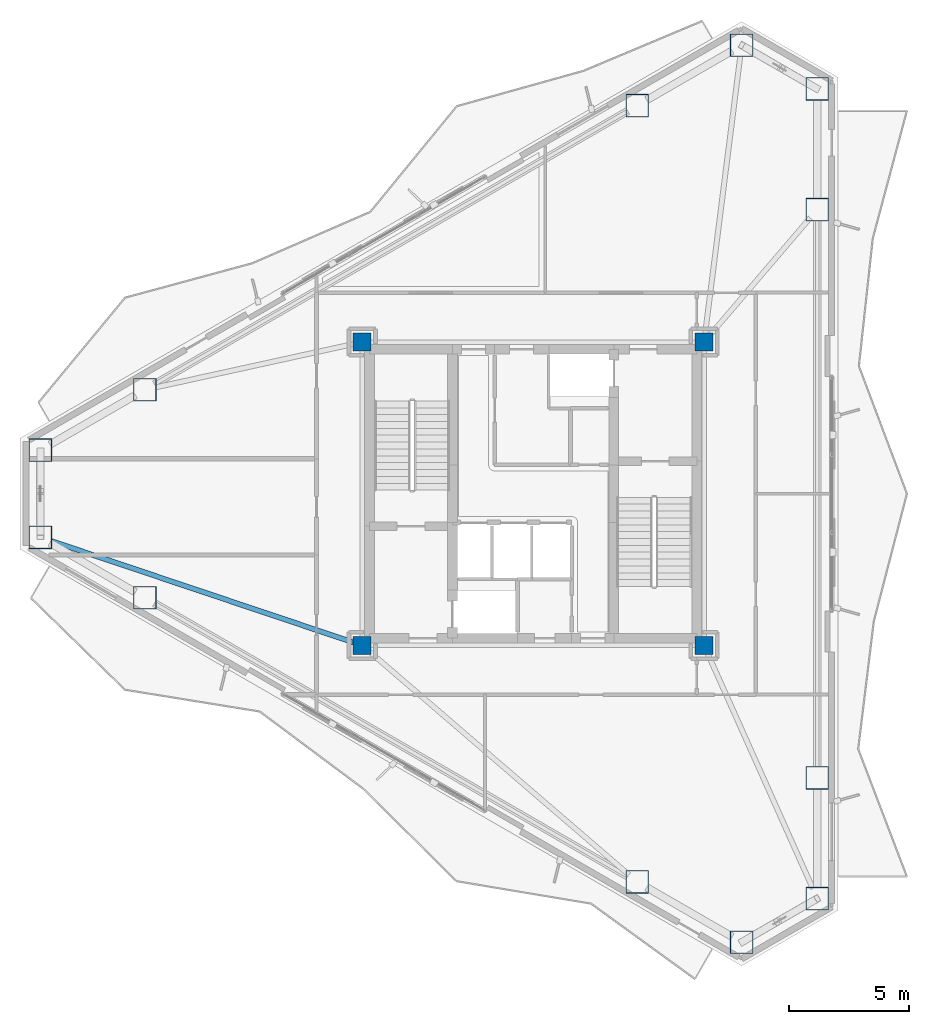
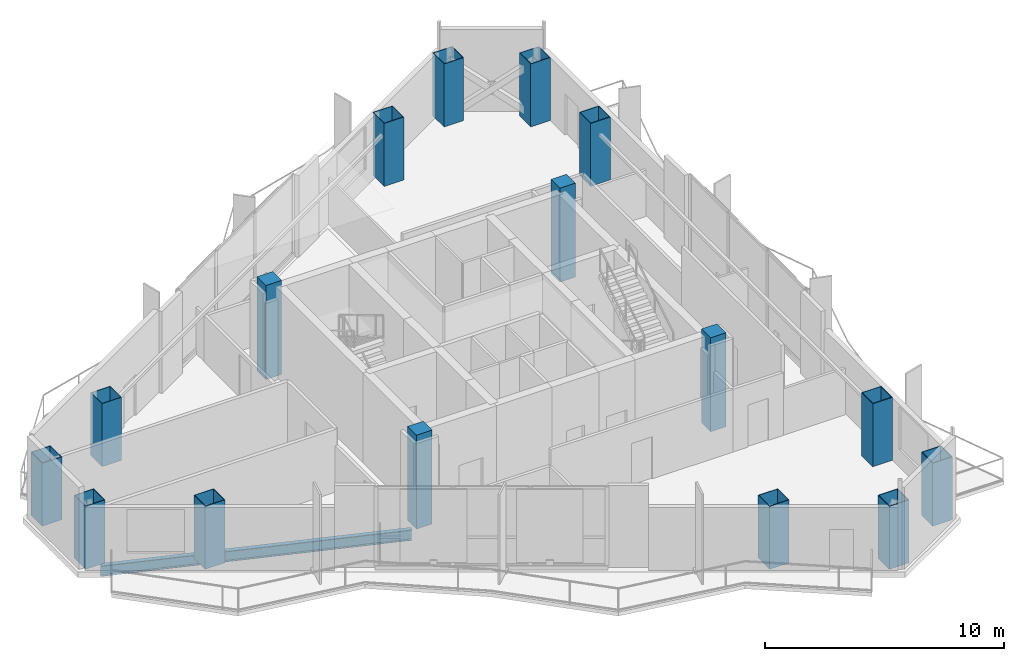
# One storey, part 1 of 18: 16 columns, 1 beam.
"""IFC4 building model written with IfcOpenShell, lengths in metres."""

from ifc_helpers import new_model, si_unit, direction, frame, origin, origin_2d, place, context, subcontext, project, spatial, rectangle, hollow_rectangle, i_section, extrude, material, material_profile, profile_set, type_object, element, save


model = new_model("IFC4")

# Units and contexts
model_context = context("Model", 3, precision=1e-05, world=origin(), true_north=direction((0.0, 1.0)))
body_context = subcontext(model_context, "Body", "Model", "MODEL_VIEW")
ifc_project = project(units=[si_unit("LENGTHUNIT", "METRE"), si_unit("AREAUNIT", "SQUARE_METRE"), si_unit("VOLUMEUNIT", "CUBIC_METRE"), si_unit("PLANEANGLEUNIT", "RADIAN"), si_unit("MASSUNIT", "GRAM", prefix="KILO")], contexts=[model_context])

# Site, building, storey
site_placement = place(None, origin())
site = spatial("IfcSite", under=ifc_project, at=site_placement, CompositionType="ELEMENT")
building_placement = place(site_placement, origin())
building = spatial("IfcBuilding", under=site, at=building_placement, Name="Mersakhor Tower and Convention Hall", CompositionType="ELEMENT")
storey_placement = place(building_placement, frame((0.0, 0.0, 170.699951171875)))
storey = spatial("IfcBuildingStorey", under=building, at=storey_placement, Name="L47", CompositionType="ELEMENT", Elevation=170.699951171875)

# Columns
ifc_material_1 = material(Name="Concrete C60/75 in S460M steel box", Category="concrete")
ifc_material_profile_1 = material_profile(ifc_material_1, hollow_rectangle(XDim=0.949951171875, YDim=0.949951171875, WallThickness=0.028076171875, at=origin_2d()), Name="SHS 950x950x28")
ifc_profile_set_1 = profile_set([ifc_material_profile_1], Name="Concrete C60/75 in S460M steel box")
column_type_1 = type_object("IfcColumnType", Name="COL-CFT-950", PredefinedType="COLUMN", material=ifc_profile_set_1)
for number, where, z_axis, x_axis, name in (
    (1, (8.533935546875, 28.563720703125, 0.0), (0.0, 0.0, 1.0), (1.0, 0.0, 0.0), "L47 Perimeter Mega-Column MC-01"),
    (2, (12.8740234375, 31.069580078125, 0.0), (0.0, 0.0, 1.0), (1.0, 0.0, 0.0), "L47 Perimeter Mega-Column MC-02"),
    (3, (33.322265625, 42.875244140625, 0.0), (0.0, 0.0, 1.0), (1.0, 0.0, 0.0), "L47 Perimeter Mega-Column MC-03"),
    (4, (37.662353515625, 45.381103515625, 0.0), (0.0, 0.0, 1.0), (1.0, 0.0, 0.0), "L47 Perimeter Mega-Column MC-04"),
    (5, (40.8037109375, 43.5673828125, 0.0), (0.0, 0.0, 1.0), (1.0, 0.0, 0.0), "L47 Perimeter Mega-Column MC-05"),
    (6, (40.8037109375, 38.5556640625, 0.0), (0.0, 0.0, 1.0), (1.0, 0.0, 0.0), "L47 Perimeter Mega-Column MC-06"),
    (7, (40.8037109375, 14.9443359375, 0.0), (0.0, 0.0, 1.0), (1.0, 0.0, 0.0), "L47 Perimeter Mega-Column MC-07"),
    (8, (40.8037109375, 9.9326171875, 0.0), (0.0, 0.0, 1.0), (1.0, 0.0, 0.0), "L47 Perimeter Mega-Column MC-08"),
    (9, (37.662353515625, 8.118896484375, 0.0), (0.0, 0.0, 1.0), (1.0, 0.0, 0.0), "L47 Perimeter Mega-Column MC-09"),
    (10, (33.322265625, 10.624755859375, 0.0), (0.0, 0.0, 1.0), (1.0, 0.0, 0.0), "L47 Perimeter Mega-Column MC-10"),
    (11, (12.8740234375, 22.430419921875, 0.0), (0.0, 0.0, 1.0), (1.0, 0.0, 0.0), "L47 Perimeter Mega-Column MC-11"),
    (12, (8.533935546875, 24.936279296875, 0.0), (0.0, 0.0, 1.0), (1.0, 0.0, 0.0), "L47 Perimeter Mega-Column MC-12"),
):
    element("IfcColumn", number, at=place(storey_placement, frame(where, z_axis=z_axis, x_axis=x_axis)), inside=storey, type_object=column_type_1, Name=name, PredefinedType="COLUMN", context=body_context, shape_type="SweptSolid", body=[
        extrude(hollow_rectangle(XDim=0.949951171875, YDim=0.949951171875, WallThickness=0.028076171875, at=origin_2d()), origin(), (0.0, 0.0, 1.0), 3.219970703125),
    ])
ifc_material_2 = material(Name="Concrete C50/60", Category="concrete")
ifc_material_profile_2 = material_profile(ifc_material_2, rectangle(XDim=0.75, YDim=0.75, at=origin_2d()), Name="RC 750x750")
ifc_profile_set_2 = profile_set([ifc_material_profile_2], Name="Concrete C50/60")
column_type_2 = type_object("IfcColumnType", Name="COL-RC-750", PredefinedType="COLUMN", material=ifc_profile_set_2)
for number, where, z_axis, x_axis, name in (
    (13, (21.89990234375, 20.449951171875, 0.0), (0.0, 0.0, 1.0), (1.0, 0.0, 0.0), "L47 Core Corner Column CC-1"),
    (14, (21.89990234375, 33.050048828125, 0.0), (0.0, 0.0, 1.0), (1.0, 0.0, 0.0), "L47 Core Corner Column CC-2"),
    (15, (36.10009765625, 33.050048828125, 0.0), (0.0, 0.0, 1.0), (1.0, 0.0, 0.0), "L47 Core Corner Column CC-3"),
    (16, (36.10009765625, 20.449951171875, 0.0), (0.0, 0.0, 1.0), (1.0, 0.0, 0.0), "L47 Core Corner Column CC-4"),
):
    element("IfcColumn", number, at=place(storey_placement, frame(where, z_axis=z_axis, x_axis=x_axis)), inside=storey, type_object=column_type_2, Name=name, PredefinedType="COLUMN", context=body_context, shape_type="SweptSolid", body=[
        extrude(rectangle(XDim=0.75, YDim=0.75, at=origin_2d()), origin(), (0.0, 0.0, 1.0), 4.800048828125),
    ])

# Beam
ifc_material_3 = material(Name="Steel S355", Category="steel")
ifc_material_profile_3 = material_profile(ifc_material_3, i_section(OverallWidth=0.2099609375, OverallDepth=0.53662109375, WebThickness=0.0107421875, FlangeThickness=0.017333984375, at=origin_2d()), Name="UB 533x210x101")
ifc_profile_set_3 = profile_set([ifc_material_profile_3], Name="Steel S355")
beam_type = type_object("IfcBeamType", Name="BM-FB-533", PredefinedType="BEAM", material=ifc_profile_set_3)
beam_placement = place(storey_placement, frame((21.5634765625, 20.56298828125, -0.54833984375), z_axis=(-0.948023534353, 0.318200217336, 0.0), x_axis=(-0.318200217336, -0.948023534353, 0.0)))
element("IfcBeam", 17, at=beam_placement, inside=storey, type_object=beam_type, Name="L47 Primary Floor Girder FG-6", PredefinedType="BEAM", context=body_context, shape_type="SweptSolid", body=[
    extrude(i_section(OverallWidth=0.2099609375, OverallDepth=0.53662109375, WebThickness=0.0107421875, FlangeThickness=0.017333984375, at=origin_2d()), origin(), (0.0, 0.0, 1.0), 13.288818359375),
])

save(model, "model.ifc")
